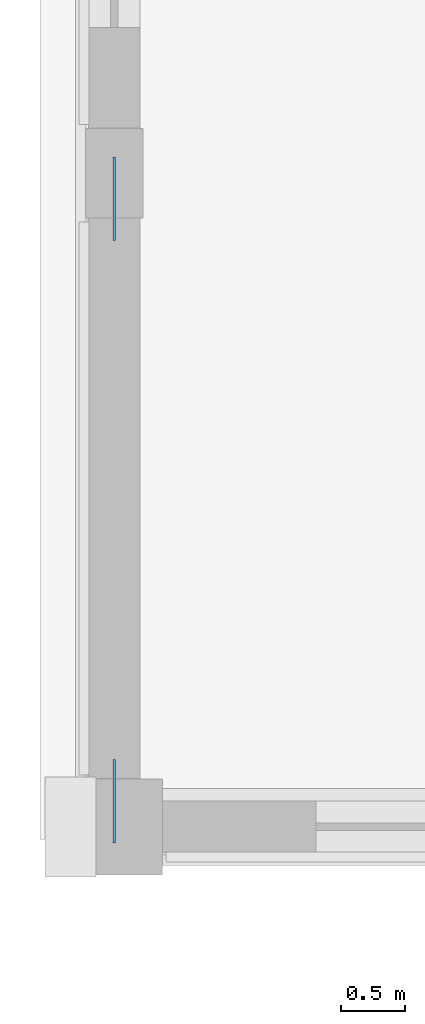
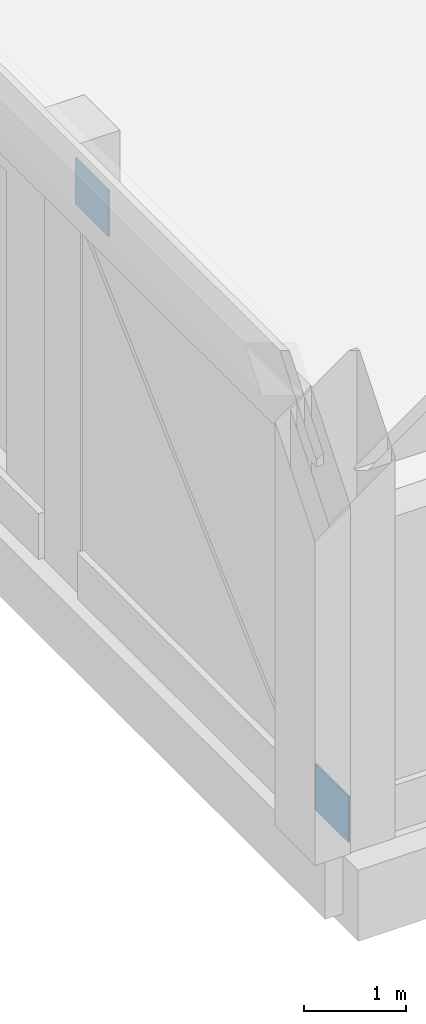
# One storey, part 97 of 137: 2 plates.
"""IFC4 building model written with IfcOpenShell, lengths in metres."""

import ifcopenshell
import ifcopenshell.guid

model = None  # the IFC model being written
_history = None  # IfcOwnerHistory: only IFC2X3 demands one
_inside = {}  # id of a spatial element -> (the spatial element, [elements in it])
_under = {}  # id of a project, library or spatial element -> (it, [spatial elements below it])
_declared = {}  # id of a project -> (the project, [libraries it declares])
_typed = {}  # id of a type object -> (the type object, [elements of that type])
_made_of = {}  # id of a material, layer set ... -> (it, [elements and type objects made of it])


def new_model(schema):
    """Start an empty IFC model of exactly this schema.

    Asked for "IFC4X3", IfcOpenShell would pick the latest addendum, in which some entities
    have other attributes; the version numbers below select the first issue.
    IFC2X3 requires an IfcOwnerHistory on every rooted entity: one is made here for all.
    """
    global model, _history
    if schema == "IFC4X3":
        model = ifcopenshell.file(schema_version=(4, 3, 0, 0))
    else:
        model = ifcopenshell.file(schema=schema)
    _inside.clear()
    _under.clear()
    _declared.clear()
    _typed.clear()
    _made_of.clear()
    _history = None
    if model.schema == "IFC2X3":
        org = make("IfcOrganization", Name="unknown")
        user = make(
            "IfcPersonAndOrganization",
            ThePerson=make("IfcPerson", FamilyName="unknown"),
            TheOrganization=org,
        )
        app = make(
            "IfcApplication",
            ApplicationDeveloper=org,
            Version="unknown",
            ApplicationFullName="unknown",
            ApplicationIdentifier="unknown",
        )
        _history = make(
            "IfcOwnerHistory",
            OwningUser=user,
            OwningApplication=app,
            ChangeAction="ADDED",
            CreationDate=0,
        )
    return model


def make(cls, **values):
    """One entity of the class cls with the attributes given. An attribute that is None is left unset."""
    return model.create_entity(
        cls, **{name: value for name, value in values.items() if value is not None}
    )


def rooted(cls, **values):
    """An entity with a GlobalId (a new one), such as an element, a storey or a relation."""
    return make(cls, GlobalId=ifcopenshell.guid.new(), OwnerHistory=_history, **values)


def si_unit(unit_type, name, prefix=None):
    """IfcSIUnit, for example si_unit("LENGTHUNIT", "METRE", prefix="MILLI")."""
    return make("IfcSIUnit", UnitType=unit_type, Prefix=prefix, Name=name)


def assignment(units):
    """IfcUnitAssignment: the units of a project."""
    return None if units is None else make("IfcUnitAssignment", Units=units)


def point(xyz):
    """IfcCartesianPoint."""
    return None if xyz is None else make("IfcCartesianPoint", Coordinates=xyz)


def direction(xyz):
    """IfcDirection."""
    return None if xyz is None else make("IfcDirection", DirectionRatios=xyz)


def frame(location, z_axis=None, x_axis=None):
    """IfcAxis2Placement3D, a coordinate frame: its origin and axes. An axis left out is left unset."""
    return make(
        "IfcAxis2Placement3D",
        Location=point(location),
        Axis=direction(z_axis),
        RefDirection=direction(x_axis),
    )


def frame_2d(location, x_axis=None):
    """IfcAxis2Placement2D, a coordinate frame in the plane: its origin and x axis."""
    return make(
        "IfcAxis2Placement2D", Location=point(location), RefDirection=direction(x_axis)
    )


def origin():
    """The frame at (0, 0, 0) with its axes left unset."""
    return frame((0.0, 0.0, 0.0))


def origin_2d():
    """The frame at (0, 0) in the plane with its x axis left unset."""
    return frame_2d((0.0, 0.0))


def place(relative_to, where):
    """IfcLocalPlacement: puts the frame where relative to a parent placement (None: the world)."""
    return make(
        "IfcLocalPlacement", PlacementRelTo=relative_to, RelativePlacement=where
    )


def context(
    kind, dimensions, precision=None, world=None, true_north=None, identifier=None
):
    """IfcGeometricRepresentationContext, for example the 3D "Model" context."""
    return make(
        "IfcGeometricRepresentationContext",
        ContextIdentifier=identifier,
        ContextType=kind,
        CoordinateSpaceDimension=dimensions,
        Precision=precision,
        WorldCoordinateSystem=world,
        TrueNorth=true_north,
    )


def subcontext(parent, identifier, kind, view, scale=None):
    """IfcGeometricRepresentationSubContext, for example "Body" below "Model"."""
    return make(
        "IfcGeometricRepresentationSubContext",
        ContextIdentifier=identifier,
        ContextType=kind,
        ParentContext=parent,
        TargetScale=scale,
        TargetView=view,
    )


def project(units=None, contexts=None):
    """IfcProject with its units and contexts."""
    return rooted(
        "IfcProject",
        Name="project",
        RepresentationContexts=contexts,
        UnitsInContext=assignment(units),
    )


def spatial(cls, under=None, at=None, **own):
    """A site, building, storey or space (cls), placed at a placement, below another one or the project."""
    s = rooted(cls, ObjectPlacement=at, **own)
    if under is not None:
        _under.setdefault(under.id(), (under, []))[1].append(s)
    return s


def profile(cls, at=None, kind="AREA", **sizes):
    """A parametric profile (cls). Its sizes go by their IFC names, for example OverallWidth=200.0."""
    return make(cls, ProfileType=kind, Position=at, **sizes)


def rectangle(**sizes):
    """IfcRectangleProfileDef."""
    return profile("IfcRectangleProfileDef", **sizes)


def extrude(swept, where, along, depth):
    """IfcExtrudedAreaSolid: the profile swept, set in the frame where, extruded along a direction by depth."""
    return make(
        "IfcExtrudedAreaSolid",
        SweptArea=swept,
        Position=where,
        ExtrudedDirection=direction(along),
        Depth=depth,
    )


def shape(context_of_items, identifier, shape_type, items):
    """IfcShapeRepresentation: the items that make up one representation, for example the "Body"."""
    return make(
        "IfcShapeRepresentation",
        ContextOfItems=context_of_items,
        RepresentationIdentifier=identifier,
        RepresentationType=shape_type,
        Items=items,
    )


def material(Name=None, Category=None):
    """IfcMaterial."""
    return make("IfcMaterial", Name=Name, Category=Category)


def layer(
    of_material, thickness, ventilated=None, Name=None, Category=None, Priority=None
):
    """IfcMaterialLayer: one layer of a wall or slab, of a material (None: an air gap)."""
    return make(
        "IfcMaterialLayer",
        Material=of_material,
        LayerThickness=thickness,
        IsVentilated=ventilated,
        Name=Name,
        Category=Category,
        Priority=Priority,
    )


def layer_set(layers, Name=None):
    """IfcMaterialLayerSet."""
    return make("IfcMaterialLayerSet", MaterialLayers=layers, LayerSetName=Name)


def made_of(thing, what):
    """Note that an element or type object is made of a material, layer set ...; save() writes the relation."""
    if what is not None:
        _made_of.setdefault(what.id(), (what, []))[1].append(thing)
    return thing


def type_object(cls, material=None, **own):
    """A type object (cls), such as IfcWallType, which elements share."""
    return made_of(rooted(cls, **own), material)


def element(
    cls,
    number,
    at=None,
    inside=None,
    cuts=None,
    type_object=None,
    material=None,
    context=None,
    identifier="Body",
    shape_type=None,
    held_by="IfcProductDefinitionShape",
    body=None,
    shapes=None,
    **own,
):
    """One element of the class cls, such as IfcWall. Its Tag is "e" and its number.

    at: its placement. inside: the storey or other place that contains it. cuts: it is an
    opening in that element (IfcRelVoidsElement). A single representation is given by context,
    identifier, shape_type and body (its items); several are given by shapes. held_by: the class
    of the entity that holds the representations. save() writes the other relations.
    """
    e = rooted(cls, Tag="e%d" % number, ObjectPlacement=at, **own)
    if body is not None:
        shapes = [shape(context, identifier, shape_type, body)]
    if shapes is not None:
        e.Representation = make(held_by, Representations=shapes)
    if inside is not None:
        _inside.setdefault(inside.id(), (inside, []))[1].append(e)
    if cuts is not None:
        rooted(
            "IfcRelVoidsElement", RelatingBuildingElement=cuts, RelatedOpeningElement=e
        )
    if type_object is not None:
        _typed.setdefault(type_object.id(), (type_object, []))[1].append(e)
    return made_of(e, material)


def aggregate(whole, parts):
    """IfcRelAggregates: a whole, such as a stair, and the parts it consists of."""
    return rooted("IfcRelAggregates", RelatingObject=whole, RelatedObjects=parts)


def save(model, path):
    """Write the relations noted so far, then the file.

    IfcRelAggregates (storeys below a building ...), IfcRelContainedInSpatialStructure (elements
    in a storey), IfcRelDefinesByType, IfcRelAssociatesMaterial and IfcRelDeclares: one each for
    every whole, place, type object, material and project.
    """
    for whole, parts in _under.values():
        aggregate(whole, parts)
    for where, things in _inside.values():
        rooted(
            "IfcRelContainedInSpatialStructure",
            RelatedElements=things,
            RelatingStructure=where,
        )
    for kind, things in _typed.values():
        rooted("IfcRelDefinesByType", RelatedObjects=things, RelatingType=kind)
    for what, things in _made_of.values():
        rooted("IfcRelAssociatesMaterial", RelatedObjects=things, RelatingMaterial=what)
    for by, libraries in _declared.values():
        rooted("IfcRelDeclares", RelatingContext=by, RelatedDefinitions=libraries)
    model.write(path)


model = new_model("IFC4")

# Units and contexts
model_context = context("Model", 3, precision=1e-05, world=origin(), true_north=direction((0.0, 1.0)))
body_context = subcontext(model_context, "Body", "Model", "MODEL_VIEW")
ifc_project = project(units=[si_unit("LENGTHUNIT", "METRE"), si_unit("AREAUNIT", "SQUARE_METRE"), si_unit("VOLUMEUNIT", "CUBIC_METRE"), si_unit("PLANEANGLEUNIT", "RADIAN"), si_unit("MASSUNIT", "GRAM", prefix="KILO")], contexts=[model_context])

# Site, building, storey
site_placement = place(None, origin())
site = spatial("IfcSite", under=ifc_project, at=site_placement, CompositionType="ELEMENT")
building_placement = place(site_placement, origin())
building = spatial("IfcBuilding", under=site, at=building_placement, Name="Vondelvale Polytechnic", CompositionType="ELEMENT")
storey_placement = place(building_placement, origin())
storey = spatial("IfcBuildingStorey", under=building, at=storey_placement, Name="L00", CompositionType="ELEMENT", Elevation=0.0)

# Plates
ifc_material = material(Name="Steel Grade 350 (fy = 340 MPa)", Category="steel")
ifc_layer = layer(ifc_material, 0.02001953125)
ifc_layer_set = layer_set([ifc_layer], Name="PLATE-GUSSET-20")
plate_type = type_object("IfcPlateType", Name="PLATE-GUSSET-20", PredefinedType="USERDEFINED", material=ifc_layer_set)
for number, where, z_axis, x_axis, name in (
    (1, (0.0, 51.199951171875, -0.0751953125), (0.0, 0.0, 1.0), (1.0, 0.0, 0.0), "L00 frame brace B knife gusset plate 1"),
    (2, (0.0, 55.89990234375, 4.31494140625), (0.0, 0.0, 1.0), (1.0, 0.0, 0.0), "L00 frame brace T knife gusset plate 1"),
):
    element("IfcPlate", number, at=place(storey_placement, frame(where, z_axis=z_axis, x_axis=x_axis)), inside=storey, type_object=plate_type, Name=name, ObjectType="GUSSET_PLATE", PredefinedType="USERDEFINED", context=body_context, shape_type="SweptSolid", body=[
        extrude(rectangle(XDim=0.02001953125, YDim=0.64990234375, at=origin_2d()), origin(), (0.0, 0.0, 1.0), 0.550048828125),
    ])

save(model, "model.ifc")
